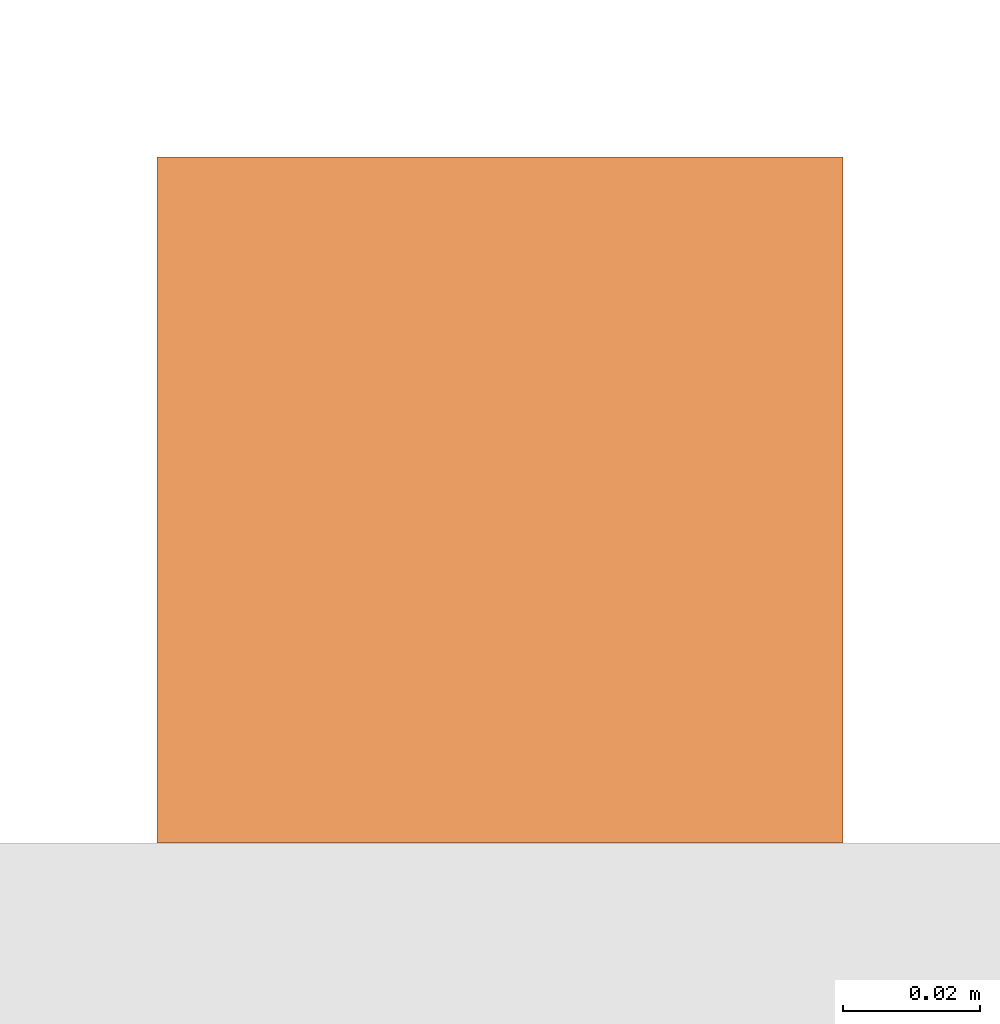
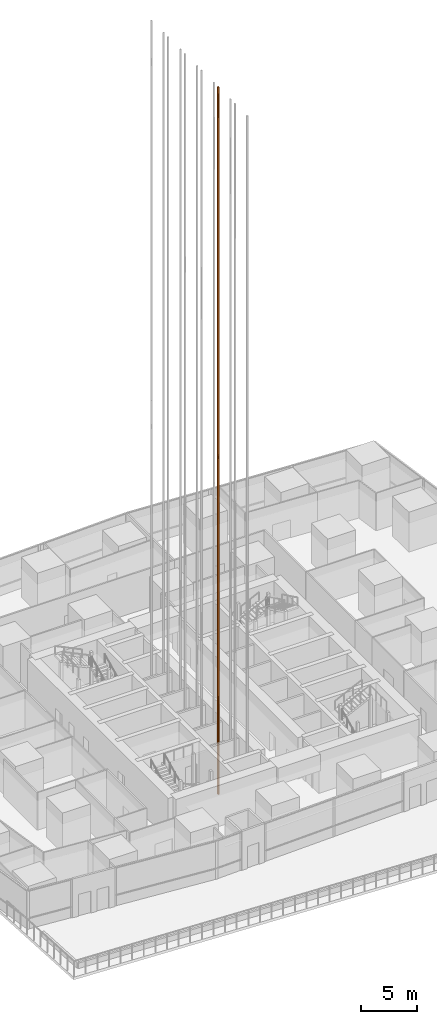
# One storey, part 36 of 44: 1 proxy.
"""IFC4 building model written with IfcOpenShell, lengths in metres."""

import ifcopenshell
import ifcopenshell.guid

model = None  # the IFC model being written
_history = None  # IfcOwnerHistory: only IFC2X3 demands one
_inside = {}  # id of a spatial element -> (the spatial element, [elements in it])
_under = {}  # id of a project, library or spatial element -> (it, [spatial elements below it])
_declared = {}  # id of a project -> (the project, [libraries it declares])
_typed = {}  # id of a type object -> (the type object, [elements of that type])
_made_of = {}  # id of a material, layer set ... -> (it, [elements and type objects made of it])


def new_model(schema):
    """Start an empty IFC model of exactly this schema.

    Asked for "IFC4X3", IfcOpenShell would pick the latest addendum, in which some entities
    have other attributes; the version numbers below select the first issue.
    IFC2X3 requires an IfcOwnerHistory on every rooted entity: one is made here for all.
    """
    global model, _history
    if schema == "IFC4X3":
        model = ifcopenshell.file(schema_version=(4, 3, 0, 0))
    else:
        model = ifcopenshell.file(schema=schema)
    _inside.clear()
    _under.clear()
    _declared.clear()
    _typed.clear()
    _made_of.clear()
    _history = None
    if model.schema == "IFC2X3":
        org = make("IfcOrganization", Name="unknown")
        user = make(
            "IfcPersonAndOrganization",
            ThePerson=make("IfcPerson", FamilyName="unknown"),
            TheOrganization=org,
        )
        app = make(
            "IfcApplication",
            ApplicationDeveloper=org,
            Version="unknown",
            ApplicationFullName="unknown",
            ApplicationIdentifier="unknown",
        )
        _history = make(
            "IfcOwnerHistory",
            OwningUser=user,
            OwningApplication=app,
            ChangeAction="ADDED",
            CreationDate=0,
        )
    return model


def make(cls, **values):
    """One entity of the class cls with the attributes given. An attribute that is None is left unset."""
    return model.create_entity(
        cls, **{name: value for name, value in values.items() if value is not None}
    )


def rooted(cls, **values):
    """An entity with a GlobalId (a new one), such as an element, a storey or a relation."""
    return make(cls, GlobalId=ifcopenshell.guid.new(), OwnerHistory=_history, **values)


def si_unit(unit_type, name, prefix=None):
    """IfcSIUnit, for example si_unit("LENGTHUNIT", "METRE", prefix="MILLI")."""
    return make("IfcSIUnit", UnitType=unit_type, Prefix=prefix, Name=name)


def assignment(units):
    """IfcUnitAssignment: the units of a project."""
    return None if units is None else make("IfcUnitAssignment", Units=units)


def point(xyz):
    """IfcCartesianPoint."""
    return None if xyz is None else make("IfcCartesianPoint", Coordinates=xyz)


def direction(xyz):
    """IfcDirection."""
    return None if xyz is None else make("IfcDirection", DirectionRatios=xyz)


def frame(location, z_axis=None, x_axis=None):
    """IfcAxis2Placement3D, a coordinate frame: its origin and axes. An axis left out is left unset."""
    return make(
        "IfcAxis2Placement3D",
        Location=point(location),
        Axis=direction(z_axis),
        RefDirection=direction(x_axis),
    )


def frame_2d(location, x_axis=None):
    """IfcAxis2Placement2D, a coordinate frame in the plane: its origin and x axis."""
    return make(
        "IfcAxis2Placement2D", Location=point(location), RefDirection=direction(x_axis)
    )


def origin():
    """The frame at (0, 0, 0) with its axes left unset."""
    return frame((0.0, 0.0, 0.0))


def origin_2d():
    """The frame at (0, 0) in the plane with its x axis left unset."""
    return frame_2d((0.0, 0.0))


def place(relative_to, where):
    """IfcLocalPlacement: puts the frame where relative to a parent placement (None: the world)."""
    return make(
        "IfcLocalPlacement", PlacementRelTo=relative_to, RelativePlacement=where
    )


def context(
    kind, dimensions, precision=None, world=None, true_north=None, identifier=None
):
    """IfcGeometricRepresentationContext, for example the 3D "Model" context."""
    return make(
        "IfcGeometricRepresentationContext",
        ContextIdentifier=identifier,
        ContextType=kind,
        CoordinateSpaceDimension=dimensions,
        Precision=precision,
        WorldCoordinateSystem=world,
        TrueNorth=true_north,
    )


def subcontext(parent, identifier, kind, view, scale=None):
    """IfcGeometricRepresentationSubContext, for example "Body" below "Model"."""
    return make(
        "IfcGeometricRepresentationSubContext",
        ContextIdentifier=identifier,
        ContextType=kind,
        ParentContext=parent,
        TargetScale=scale,
        TargetView=view,
    )


def project(units=None, contexts=None):
    """IfcProject with its units and contexts."""
    return rooted(
        "IfcProject",
        Name="project",
        RepresentationContexts=contexts,
        UnitsInContext=assignment(units),
    )


def spatial(cls, under=None, at=None, **own):
    """A site, building, storey or space (cls), placed at a placement, below another one or the project."""
    s = rooted(cls, ObjectPlacement=at, **own)
    if under is not None:
        _under.setdefault(under.id(), (under, []))[1].append(s)
    return s


def profile(cls, at=None, kind="AREA", **sizes):
    """A parametric profile (cls). Its sizes go by their IFC names, for example OverallWidth=200.0."""
    return make(cls, ProfileType=kind, Position=at, **sizes)


def rectangle(**sizes):
    """IfcRectangleProfileDef."""
    return profile("IfcRectangleProfileDef", **sizes)


def extrude(swept, where, along, depth):
    """IfcExtrudedAreaSolid: the profile swept, set in the frame where, extruded along a direction by depth."""
    return make(
        "IfcExtrudedAreaSolid",
        SweptArea=swept,
        Position=where,
        ExtrudedDirection=direction(along),
        Depth=depth,
    )


def shape(context_of_items, identifier, shape_type, items):
    """IfcShapeRepresentation: the items that make up one representation, for example the "Body"."""
    return make(
        "IfcShapeRepresentation",
        ContextOfItems=context_of_items,
        RepresentationIdentifier=identifier,
        RepresentationType=shape_type,
        Items=items,
    )


def material(Name=None, Category=None):
    """IfcMaterial."""
    return make("IfcMaterial", Name=Name, Category=Category)


def made_of(thing, what):
    """Note that an element or type object is made of a material, layer set ...; save() writes the relation."""
    if what is not None:
        _made_of.setdefault(what.id(), (what, []))[1].append(thing)
    return thing


def type_object(cls, material=None, **own):
    """A type object (cls), such as IfcWallType, which elements share."""
    return made_of(rooted(cls, **own), material)


def element(
    cls,
    number,
    at=None,
    inside=None,
    cuts=None,
    type_object=None,
    material=None,
    context=None,
    identifier="Body",
    shape_type=None,
    held_by="IfcProductDefinitionShape",
    body=None,
    shapes=None,
    **own,
):
    """One element of the class cls, such as IfcWall. Its Tag is "e" and its number.

    at: its placement. inside: the storey or other place that contains it. cuts: it is an
    opening in that element (IfcRelVoidsElement). A single representation is given by context,
    identifier, shape_type and body (its items); several are given by shapes. held_by: the class
    of the entity that holds the representations. save() writes the other relations.
    """
    e = rooted(cls, Tag="e%d" % number, ObjectPlacement=at, **own)
    if body is not None:
        shapes = [shape(context, identifier, shape_type, body)]
    if shapes is not None:
        e.Representation = make(held_by, Representations=shapes)
    if inside is not None:
        _inside.setdefault(inside.id(), (inside, []))[1].append(e)
    if cuts is not None:
        rooted(
            "IfcRelVoidsElement", RelatingBuildingElement=cuts, RelatedOpeningElement=e
        )
    if type_object is not None:
        _typed.setdefault(type_object.id(), (type_object, []))[1].append(e)
    return made_of(e, material)


def aggregate(whole, parts):
    """IfcRelAggregates: a whole, such as a stair, and the parts it consists of."""
    return rooted("IfcRelAggregates", RelatingObject=whole, RelatedObjects=parts)


def save(model, path):
    """Write the relations noted so far, then the file.

    IfcRelAggregates (storeys below a building ...), IfcRelContainedInSpatialStructure (elements
    in a storey), IfcRelDefinesByType, IfcRelAssociatesMaterial and IfcRelDeclares: one each for
    every whole, place, type object, material and project.
    """
    for whole, parts in _under.values():
        aggregate(whole, parts)
    for where, things in _inside.values():
        rooted(
            "IfcRelContainedInSpatialStructure",
            RelatedElements=things,
            RelatingStructure=where,
        )
    for kind, things in _typed.values():
        rooted("IfcRelDefinesByType", RelatedObjects=things, RelatingType=kind)
    for what, things in _made_of.values():
        rooted("IfcRelAssociatesMaterial", RelatedObjects=things, RelatingMaterial=what)
    for by, libraries in _declared.values():
        rooted("IfcRelDeclares", RelatingContext=by, RelatedDefinitions=libraries)
    model.write(path)


model = new_model("IFC4")

# Units and contexts
model_context = context("Model", 3, precision=1e-05, world=origin(), true_north=direction((0.0, 1.0)))
body_context = subcontext(model_context, "Body", "Model", "MODEL_VIEW")
ifc_project = project(units=[si_unit("LENGTHUNIT", "METRE"), si_unit("AREAUNIT", "SQUARE_METRE"), si_unit("VOLUMEUNIT", "CUBIC_METRE"), si_unit("PLANEANGLEUNIT", "RADIAN"), si_unit("MASSUNIT", "GRAM", prefix="KILO")], contexts=[model_context])

# Site, building, storey
site_placement = place(None, origin())
site = spatial("IfcSite", under=ifc_project, at=site_placement, CompositionType="ELEMENT")
building_placement = place(site_placement, origin())
building = spatial("IfcBuilding", under=site, at=building_placement, Name="Rekha Terrace Tower", CompositionType="ELEMENT")
storey_placement = place(building_placement, frame((0.0, 0.0, 90.800048828125)))
storey = spatial("IfcBuildingStorey", under=building, at=storey_placement, Name="L22", CompositionType="ELEMENT", Elevation=90.800048828125)

# Proxy
ifc_material = material(Name="Steel guide rail", Category="steel")
building_element_proxy_type = type_object("IfcBuildingElementProxyType", Name="LR1 100 lift guide rail", PredefinedType="ELEMENT", material=ifc_material)
proxy_placement = place(storey_placement, frame((34.5, 29.0, -3.300048828125), z_axis=(0.0, 0.0, 1.0), x_axis=(1.0, 0.0, 0.0)))
element("IfcBuildingElementProxy", 1, at=proxy_placement, inside=storey, type_object=building_element_proxy_type, Name="Lift B2 guide rail 2", PredefinedType="ELEMENT", context=body_context, shape_type="SweptSolid", body=[
    extrude(rectangle(XDim=0.10009765625, YDim=0.10009765625, at=origin_2d()), origin(), (0.0, 0.0, 1.0), 77.39990234375),
])

save(model, "model.ifc")
